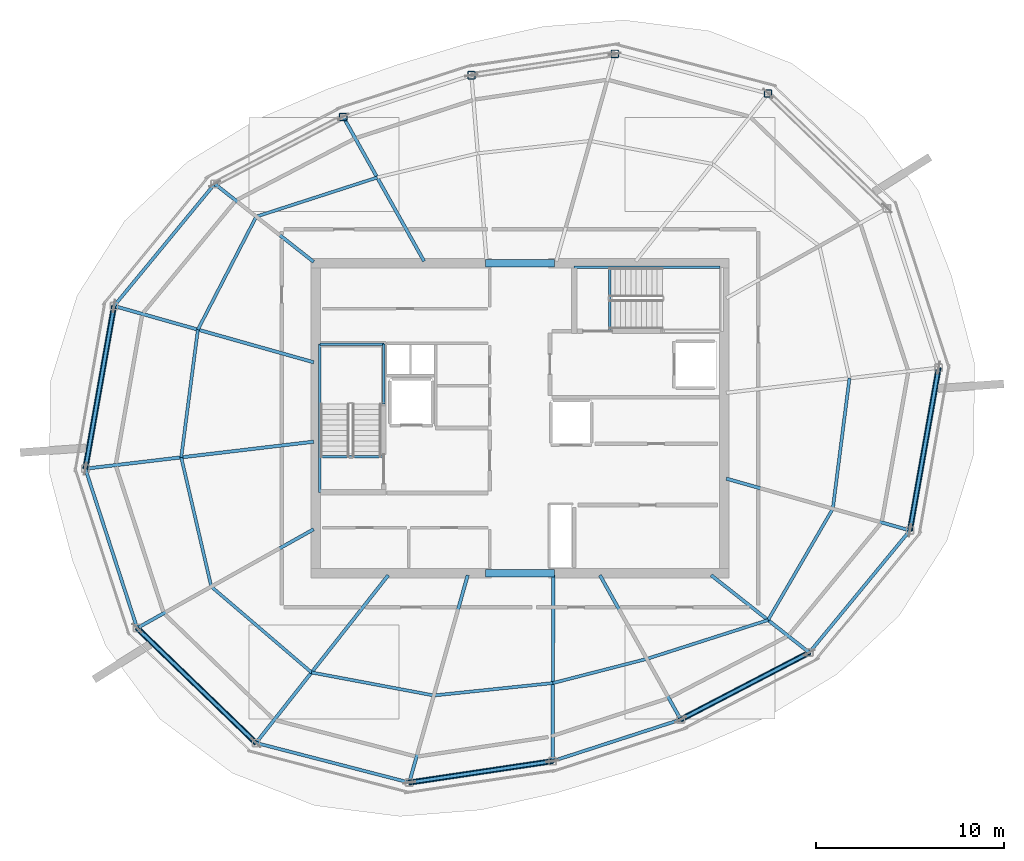
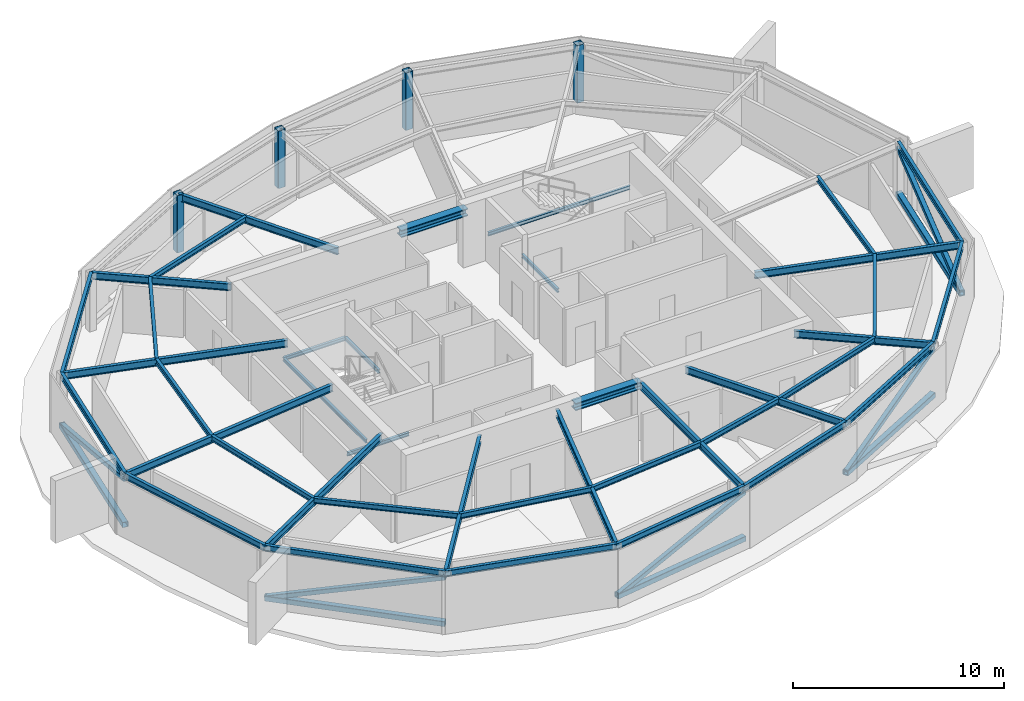
# One storey, part 4 of 10: 40 beams, 10 members, 4 columns.
"""IFC4 building model written with IfcOpenShell, lengths in metres."""

from ifc_helpers import new_model, si_unit, direction, frame, origin, origin_2d, place, context, subcontext, project, spatial, hollow_rectangle, i_section, extrude, material, material_profile, profile_set, type_object, element, save


model = new_model("IFC4")

# Units and contexts
model_context = context("Model", 3, precision=1e-05, world=origin(), true_north=direction((0.0, 1.0)))
body_context = subcontext(model_context, "Body", "Model", "MODEL_VIEW")
ifc_project = project(units=[si_unit("LENGTHUNIT", "METRE"), si_unit("AREAUNIT", "SQUARE_METRE"), si_unit("VOLUMEUNIT", "CUBIC_METRE"), si_unit("PLANEANGLEUNIT", "RADIAN"), si_unit("MASSUNIT", "GRAM", prefix="KILO")], contexts=[model_context])

# Site, building, storey
site_placement = place(None, origin())
site = spatial("IfcSite", under=ifc_project, at=site_placement, CompositionType="ELEMENT")
building_placement = place(site_placement, origin())
building = spatial("IfcBuilding", under=site, at=building_placement, Name="Kazma Halo Residences", CompositionType="ELEMENT")
storey_placement = place(building_placement, frame((0.0, 0.0, 356.0)))
storey = spatial("IfcBuildingStorey", under=building, at=storey_placement, Name="L89", CompositionType="ELEMENT", Elevation=356.0)

# Columns
ifc_material = material(Name="Steel S355", Category="steel")
ifc_material_profile_1 = material_profile(ifc_material, hollow_rectangle(XDim=0.39990234375, YDim=0.39990234375, WallThickness=0.02001953125, InnerFilletRadius=0.02001953125, OuterFilletRadius=0.0400390625, at=origin_2d()), Name="SHS400x400x20")
ifc_profile_set_1 = profile_set([ifc_material_profile_1], Name="Steel S355")
column_type = type_object("IfcColumnType", Name="COL-CROWN-SHS400", PredefinedType="COLUMN", material=ifc_profile_set_1)
for number, where, z_axis, x_axis, name in (
    (1, (61.617431640625, 59.273681640625, 0.0), (0.0, 0.0, 1.0), (1.0, 0.0, 0.0), "L89 CROWN FRAME perimeter column P02"),
    (2, (53.46630859375, 61.38232421875, 0.0), (0.0, 0.0, 1.0), (1.0, 0.0, 0.0), "L89 CROWN FRAME perimeter column P03"),
    (3, (45.8408203125, 60.24365234375, 0.0), (0.0, 0.0, 1.0), (1.0, 0.0, 0.0), "L89 CROWN FRAME perimeter column P04"),
    (4, (39.0234375, 58.02880859375, 0.0), (0.0, 0.0, 1.0), (1.0, 0.0, 0.0), "L89 CROWN FRAME perimeter column P05"),
):
    element("IfcColumn", number, at=place(storey_placement, frame(where, z_axis=z_axis, x_axis=x_axis)), inside=storey, type_object=column_type, Name=name, PredefinedType="COLUMN", context=body_context, shape_type="SweptSolid", body=[
        extrude(hollow_rectangle(XDim=0.39990234375, YDim=0.39990234375, WallThickness=0.02001953125, InnerFilletRadius=0.02001953125, OuterFilletRadius=0.0400390625, at=origin_2d()), origin(), (0.0, 0.0, 1.0), 3.320068359375),
    ])

# Beams
ifc_material_profile_2 = material_profile(ifc_material, i_section(OverallWidth=0.408935546875, OverallDepth=0.425048828125, WebThickness=0.03271484375, FlangeThickness=0.052490234375, FilletRadius=0.02001953125, at=origin_2d()), Name="W360x421")
ifc_profile_set_2 = profile_set([ifc_material_profile_2], Name="Steel S355")
beam_type_1 = type_object("IfcBeamType", Name="BM-CORE-W360H", PredefinedType="BEAM", material=ifc_profile_set_2)
for number, where, z_axis, x_axis, name in (
    (5, (46.60009765625, 33.75, 3.107421875), (1.0, 0.0, 0.0), (0.0, 1.0, 0.0), "L89 core coupling beam S"),
    (6, (46.60009765625, 50.25, 3.107421875), (1.0, 0.0, 0.0), (0.0, 1.0, 0.0), "L89 core coupling beam N"),
):
    element("IfcBeam", number, at=place(storey_placement, frame(where, z_axis=z_axis, x_axis=x_axis)), inside=storey, type_object=beam_type_1, Name=name, PredefinedType="BEAM", context=body_context, shape_type="SweptSolid", body=[
        extrude(i_section(OverallWidth=0.408935546875, OverallDepth=0.425048828125, WebThickness=0.03271484375, FlangeThickness=0.052490234375, FilletRadius=0.02001953125, at=origin_2d()), origin(), (0.0, 0.0, 1.0), 3.64990234375),
    ])
ifc_material_profile_3 = material_profile(ifc_material, i_section(OverallWidth=0.177978515625, OverallDepth=0.406982421875, WebThickness=0.0078125, FlangeThickness=0.0126953125, FilletRadius=0.013916015625, at=origin_2d()), Name="W410x60")
ifc_profile_set_3 = profile_set([ifc_material_profile_3], Name="Steel S355")
beam_type_2 = type_object("IfcBeamType", Name="BM-RAD-W410", PredefinedType="BEAM", material=ifc_profile_set_3)
beam_1_placement = place(storey_placement, frame((43.32373046875, 50.35009765625, 3.116455078125), z_axis=(-0.488621952621, 0.872495608824, 0.0), x_axis=(-0.872495608824, -0.488621952621, 0.0)))
element("IfcBeam", 7, at=beam_1_placement, inside=storey, type_object=beam_type_2, Name="L89 radial floor beam 05", PredefinedType="BEAM", context=body_context, shape_type="SweptSolid", body=[
    extrude(i_section(OverallWidth=0.177978515625, OverallDepth=0.406982421875, WebThickness=0.0078125, FlangeThickness=0.0126953125, FilletRadius=0.013916015625, at=origin_2d()), origin(), (0.0, 0.0, 1.0), 8.80078125),
])
beam_2_placement = place(storey_placement, frame((37.449951171875, 50.31689453125, 3.116455078125), z_axis=(-0.785321596803, 0.619088030569, 0.0), x_axis=(-0.619088030569, -0.785321596803, 0.0)))
element("IfcBeam", 8, at=beam_2_placement, inside=storey, type_object=beam_type_2, Name="L89 radial floor beam 06", PredefinedType="BEAM", context=body_context, shape_type="SweptSolid", body=[
    extrude(i_section(OverallWidth=0.177978515625, OverallDepth=0.406982421875, WebThickness=0.0078125, FlangeThickness=0.0126953125, FilletRadius=0.013916015625, at=origin_2d()), origin(), (0.0, 0.0, 1.0), 6.704345703125),
])
beam_3_placement = place(storey_placement, frame((37.449951171875, 44.975341796875, 3.116455078125), z_axis=(-0.962455160106, 0.271440720572, 0.0), x_axis=(-0.271440720572, -0.962455160106, 0.0)))
element("IfcBeam", 9, at=beam_3_placement, inside=storey, type_object=beam_type_2, Name="L89 radial floor beam 07", PredefinedType="BEAM", context=body_context, shape_type="SweptSolid", body=[
    extrude(i_section(OverallWidth=0.177978515625, OverallDepth=0.406982421875, WebThickness=0.0078125, FlangeThickness=0.0126953125, FilletRadius=0.013916015625, at=origin_2d()), origin(), (0.0, 0.0, 1.0), 11.0341796875),
])
beam_4_placement = place(storey_placement, frame((37.449951171875, 40.751220703125, 3.116455078125), z_axis=(-0.993069432883, -0.117529151591, 0.0), x_axis=(0.117529151591, -0.993069432883, 0.0)))
element("IfcBeam", 10, at=beam_4_placement, inside=storey, type_object=beam_type_2, Name="L89 radial floor beam 08", PredefinedType="BEAM", context=body_context, shape_type="SweptSolid", body=[
    extrude(i_section(OverallWidth=0.177978515625, OverallDepth=0.406982421875, WebThickness=0.0078125, FlangeThickness=0.0126953125, FilletRadius=0.013916015625, at=origin_2d()), origin(), (0.0, 0.0, 1.0), 12.23095703125),
])
beam_5_placement = place(storey_placement, frame((37.449951171875, 36.091796875, 3.116455078125), z_axis=(-0.872494798344, -0.488623399832, 0.0), x_axis=(0.488623399832, -0.872494798344, 0.0)))
element("IfcBeam", 11, at=beam_5_placement, inside=storey, type_object=beam_type_2, Name="L89 radial floor beam 09", PredefinedType="BEAM", context=body_context, shape_type="SweptSolid", body=[
    extrude(i_section(OverallWidth=0.177978515625, OverallDepth=0.406982421875, WebThickness=0.0078125, FlangeThickness=0.0126953125, FilletRadius=0.013916015625, at=origin_2d()), origin(), (0.0, 0.0, 1.0), 10.762939453125),
])
beam_6_placement = place(storey_placement, frame((41.41748046875, 33.64990234375, 3.116455078125), z_axis=(-0.619100773028, -0.785311551447, 0.0), x_axis=(0.785311551447, -0.619100773028, 0.0)))
element("IfcBeam", 12, at=beam_6_placement, inside=storey, type_object=beam_type_2, Name="L89 radial floor beam 10", PredefinedType="BEAM", context=body_context, shape_type="SweptSolid", body=[
    extrude(i_section(OverallWidth=0.177978515625, OverallDepth=0.406982421875, WebThickness=0.0078125, FlangeThickness=0.0126953125, FilletRadius=0.013916015625, at=origin_2d()), origin(), (0.0, 0.0, 1.0), 11.363037109375),
])
beam_7_placement = place(storey_placement, frame((45.64501953125, 33.64990234375, 3.116455078125), z_axis=(-0.271433859027, -0.962457095238, 0.0), x_axis=(0.962457095238, -0.271433859027, 0.0)))
element("IfcBeam", 13, at=beam_7_placement, inside=storey, type_object=beam_type_2, Name="L89 radial floor beam 11", PredefinedType="BEAM", context=body_context, shape_type="SweptSolid", body=[
    extrude(i_section(OverallWidth=0.177978515625, OverallDepth=0.406982421875, WebThickness=0.0078125, FlangeThickness=0.0126953125, FilletRadius=0.013916015625, at=origin_2d()), origin(), (0.0, 0.0, 1.0), 11.462646484375),
])
beam_8_placement = place(storey_placement, frame((50.199951171875, 33.64990234375, 3.116455078125), z_axis=(-0.004120979715, -0.999991508727, 0.0), x_axis=(0.999991508727, -0.004120979715, 0.0)))
element("IfcBeam", 14, at=beam_8_placement, inside=storey, type_object=beam_type_2, Name="L89 radial floor beam 12", PredefinedType="BEAM", context=body_context, shape_type="SweptSolid", body=[
    extrude(i_section(OverallWidth=0.177978515625, OverallDepth=0.406982421875, WebThickness=0.0078125, FlangeThickness=0.0126953125, FilletRadius=0.013916015625, at=origin_2d()), origin(), (0.0, 0.0, 1.0), 9.8935546875),
])
beam_9_placement = place(storey_placement, frame((52.67626953125, 33.64990234375, 3.116455078125), z_axis=(0.488621952621, -0.872495608824, 0.0), x_axis=(0.872495608824, 0.488621952621, 0.0)))
element("IfcBeam", 15, at=beam_9_placement, inside=storey, type_object=beam_type_2, Name="L89 radial floor beam 13", PredefinedType="BEAM", context=body_context, shape_type="SweptSolid", body=[
    extrude(i_section(OverallWidth=0.177978515625, OverallDepth=0.406982421875, WebThickness=0.0078125, FlangeThickness=0.0126953125, FilletRadius=0.013916015625, at=origin_2d()), origin(), (0.0, 0.0, 1.0), 8.80078125),
])
beam_10_placement = place(storey_placement, frame((58.591796875, 33.64990234375, 3.116455078125), z_axis=(0.785342950436, -0.619060942234, 0.0), x_axis=(0.619060942234, 0.785342950436, 0.0)))
element("IfcBeam", 16, at=beam_10_placement, inside=storey, type_object=beam_type_2, Name="L89 radial floor beam 14", PredefinedType="BEAM", context=body_context, shape_type="SweptSolid", body=[
    extrude(i_section(OverallWidth=0.177978515625, OverallDepth=0.406982421875, WebThickness=0.0078125, FlangeThickness=0.0126953125, FilletRadius=0.013916015625, at=origin_2d()), origin(), (0.0, 0.0, 1.0), 6.651123046875),
])
beam_11_placement = place(storey_placement, frame((59.39990234375, 38.784912109375, 3.116455078125), z_axis=(0.962456764872, -0.271435030445, 0.0), x_axis=(0.271435030445, 0.962456764872, 0.0)))
element("IfcBeam", 17, at=beam_11_placement, inside=storey, type_object=beam_type_2, Name="L89 radial floor beam 15", PredefinedType="BEAM", context=body_context, shape_type="SweptSolid", body=[
    extrude(i_section(OverallWidth=0.177978515625, OverallDepth=0.406982421875, WebThickness=0.0078125, FlangeThickness=0.0126953125, FilletRadius=0.013916015625, at=origin_2d()), origin(), (0.0, 0.0, 1.0), 10.151123046875),
])
ifc_material_profile_4 = material_profile(ifc_material, i_section(OverallWidth=0.1650390625, OverallDepth=0.31005859375, WebThickness=0.005859375, FlangeThickness=0.009765625, FilletRadius=0.011962890625, at=origin_2d()), Name="W310x38.7")
ifc_profile_set_4 = profile_set([ifc_material_profile_4], Name="Steel S355")
beam_type_3 = type_object("IfcBeamType", Name="BM-SEC-W310B", PredefinedType="JOIST", material=ifc_profile_set_4)
beam_12_placement = place(storey_placement, frame((40.82958984375, 54.8037109375, 3.1650390625), z_axis=(-0.951532506418, -0.307548190094, 0.0), x_axis=(0.307548190094, -0.951532506418, 0.0)))
element("IfcBeam", 18, at=beam_12_placement, inside=storey, type_object=beam_type_3, Name="L89 circumferential floor joist 05", PredefinedType="JOIST", context=body_context, shape_type="SweptSolid", body=[
    extrude(i_section(OverallWidth=0.1650390625, OverallDepth=0.31005859375, WebThickness=0.005859375, FlangeThickness=0.009765625, FilletRadius=0.011962890625, at=origin_2d()), origin(), (0.0, 0.0, 1.0), 6.760986328125),
])
beam_13_placement = place(storey_placement, frame((34.396240234375, 52.724365234375, 3.1650390625), z_axis=(-0.458980181698, -0.888446505316, 0.0), x_axis=(0.888446505316, -0.458980181698, 0.0)))
element("IfcBeam", 19, at=beam_13_placement, inside=storey, type_object=beam_type_3, Name="L89 circumferential floor joist 06", PredefinedType="JOIST", context=body_context, shape_type="SweptSolid", body=[
    extrude(i_section(OverallWidth=0.1650390625, OverallDepth=0.31005859375, WebThickness=0.005859375, FlangeThickness=0.009765625, FilletRadius=0.011962890625, at=origin_2d()), origin(), (0.0, 0.0, 1.0), 6.7666015625),
])
beam_14_placement = place(storey_placement, frame((31.29052734375, 46.712646484375, 3.1650390625), z_axis=(-0.129220381174, -0.991615899978, 0.0), x_axis=(0.991615899978, -0.129220381174, 0.0)))
element("IfcBeam", 20, at=beam_14_placement, inside=storey, type_object=beam_type_3, Name="L89 circumferential floor joist 07", PredefinedType="JOIST", context=body_context, shape_type="SweptSolid", body=[
    extrude(i_section(OverallWidth=0.1650390625, OverallDepth=0.31005859375, WebThickness=0.005859375, FlangeThickness=0.009765625, FilletRadius=0.011962890625, at=origin_2d()), origin(), (0.0, 0.0, 1.0), 6.8525390625),
])
beam_15_placement = place(storey_placement, frame((30.405029296875, 39.91748046875, 3.1650390625), z_axis=(0.22642269465, -0.97402913886, 0.0), x_axis=(0.97402913886, 0.22642269465, 0.0)))
element("IfcBeam", 21, at=beam_15_placement, inside=storey, type_object=beam_type_3, Name="L89 circumferential floor joist 08", PredefinedType="JOIST", context=body_context, shape_type="SweptSolid", body=[
    extrude(i_section(OverallWidth=0.1650390625, OverallDepth=0.31005859375, WebThickness=0.005859375, FlangeThickness=0.009765625, FilletRadius=0.011962890625, at=origin_2d()), origin(), (0.0, 0.0, 1.0), 7.059326171875),
])
beam_16_placement = place(storey_placement, frame((32.00341796875, 33.04150390625, 3.1650390625), z_axis=(0.759582919789, -0.650410476518, 0.0), x_axis=(0.650410476518, 0.759582919789, 0.0)))
element("IfcBeam", 22, at=beam_16_placement, inside=storey, type_object=beam_type_3, Name="L89 circumferential floor joist 09", PredefinedType="JOIST", context=body_context, shape_type="SweptSolid", body=[
    extrude(i_section(OverallWidth=0.1650390625, OverallDepth=0.31005859375, WebThickness=0.005859375, FlangeThickness=0.009765625, FilletRadius=0.011962890625, at=origin_2d()), origin(), (0.0, 0.0, 1.0), 7.02197265625),
])
beam_17_placement = place(storey_placement, frame((37.337158203125, 28.474365234375, 3.1650390625), z_axis=(0.982768028721, -0.184843181435, 0.0), x_axis=(0.184843181435, 0.982768028721, 0.0)))
element("IfcBeam", 23, at=beam_17_placement, inside=storey, type_object=beam_type_3, Name="L89 circumferential floor joist 10", PredefinedType="JOIST", context=body_context, shape_type="SweptSolid", body=[
    extrude(i_section(OverallWidth=0.1650390625, OverallDepth=0.31005859375, WebThickness=0.005859375, FlangeThickness=0.009765625, FilletRadius=0.011962890625, at=origin_2d()), origin(), (0.0, 0.0, 1.0), 6.6171875),
])
beam_18_placement = place(storey_placement, frame((43.84033203125, 27.251220703125, 3.1650390625), z_axis=(0.994612236518, 0.10366532192, 0.0), x_axis=(-0.10366532192, 0.994612236518, 0.0)))
element("IfcBeam", 24, at=beam_18_placement, inside=storey, type_object=beam_type_3, Name="L89 circumferential floor joist 11", PredefinedType="JOIST", context=body_context, shape_type="SweptSolid", body=[
    extrude(i_section(OverallWidth=0.1650390625, OverallDepth=0.31005859375, WebThickness=0.005859375, FlangeThickness=0.009765625, FilletRadius=0.011962890625, at=origin_2d()), origin(), (0.0, 0.0, 1.0), 6.37060546875),
])
beam_19_placement = place(storey_placement, frame((50.176513671875, 27.91162109375, 3.1650390625), z_axis=(0.96846845721, 0.249136202485, 0.0), x_axis=(-0.249136202485, 0.96846845721, 0.0)))
element("IfcBeam", 25, at=beam_19_placement, inside=storey, type_object=beam_type_3, Name="L89 circumferential floor joist 12", PredefinedType="JOIST", context=body_context, shape_type="SweptSolid", body=[
    extrude(i_section(OverallWidth=0.1650390625, OverallDepth=0.31005859375, WebThickness=0.005859375, FlangeThickness=0.009765625, FilletRadius=0.011962890625, at=origin_2d()), origin(), (0.0, 0.0, 1.0), 5.156494140625),
])
beam_20_placement = place(storey_placement, frame((55.17041015625, 29.1962890625, 3.1650390625), z_axis=(0.952375588957, 0.304927429988, 0.0), x_axis=(-0.304927429988, 0.952375588957, 0.0)))
element("IfcBeam", 26, at=beam_20_placement, inside=storey, type_object=beam_type_3, Name="L89 circumferential floor joist 13", PredefinedType="JOIST", context=body_context, shape_type="SweptSolid", body=[
    extrude(i_section(OverallWidth=0.1650390625, OverallDepth=0.31005859375, WebThickness=0.005859375, FlangeThickness=0.009765625, FilletRadius=0.011962890625, at=origin_2d()), origin(), (0.0, 0.0, 1.0), 6.7734375),
])
beam_21_placement = place(storey_placement, frame((61.621337890625, 31.26171875, 3.1650390625), z_axis=(0.502650174973, 0.864489908327, 0.0), x_axis=(-0.864489908327, 0.502650174973, 0.0)))
element("IfcBeam", 27, at=beam_21_placement, inside=storey, type_object=beam_type_3, Name="L89 circumferential floor joist 14", PredefinedType="JOIST", context=body_context, shape_type="SweptSolid", body=[
    extrude(i_section(OverallWidth=0.1650390625, OverallDepth=0.31005859375, WebThickness=0.005859375, FlangeThickness=0.009765625, FilletRadius=0.011962890625, at=origin_2d()), origin(), (0.0, 0.0, 1.0), 6.853759765625),
])
beam_22_placement = place(storey_placement, frame((65.06640625, 37.186767578125, 3.1650390625), z_axis=(0.126603386769, 0.991953417484, 0.0), x_axis=(-0.991953417484, 0.126603386769, 0.0)))
element("IfcBeam", 28, at=beam_22_placement, inside=storey, type_object=beam_type_3, Name="L89 circumferential floor joist 15", PredefinedType="JOIST", context=body_context, shape_type="SweptSolid", body=[
    extrude(i_section(OverallWidth=0.1650390625, OverallDepth=0.31005859375, WebThickness=0.005859375, FlangeThickness=0.009765625, FilletRadius=0.011962890625, at=origin_2d()), origin(), (0.0, 0.0, 1.0), 6.994384765625),
])
ifc_material_profile_5 = material_profile(ifc_material, i_section(OverallWidth=0.1708984375, OverallDepth=0.35498046875, WebThickness=0.007080078125, FlangeThickness=0.01171875, FilletRadius=0.013916015625, at=origin_2d()), Name="W360x51")
ifc_profile_set_5 = profile_set([ifc_material_profile_5], Name="Steel S355")
beam_type_4 = type_object("IfcBeamType", Name="BM-SPN-W360", PredefinedType="BEAM", material=ifc_profile_set_5)
beam_23_placement = place(storey_placement, frame((32.184814453125, 54.467529296875, 3.142578125), z_axis=(-0.636005014199, -0.77168492399, 0.0), x_axis=(0.77168492399, -0.636005014199, 0.0)))
element("IfcBeam", 29, at=beam_23_placement, inside=storey, type_object=beam_type_4, Name="L89 CROWN FRAME ring beam 06", PredefinedType="BEAM", context=body_context, shape_type="SweptSolid", body=[
    extrude(i_section(OverallWidth=0.1708984375, OverallDepth=0.35498046875, WebThickness=0.007080078125, FlangeThickness=0.01171875, FilletRadius=0.013916015625, at=origin_2d()), origin(), (0.0, 0.0, 1.0), 8.41943359375),
])
beam_24_placement = place(storey_placement, frame((26.830078125, 47.970458984375, 3.142578125), z_axis=(-0.173642734291, -0.984808712811, 0.0), x_axis=(0.984808712811, -0.173642734291, 0.0)))
element("IfcBeam", 30, at=beam_24_placement, inside=storey, type_object=beam_type_4, Name="L89 CROWN FRAME ring beam 07", PredefinedType="BEAM", context=body_context, shape_type="SweptSolid", body=[
    extrude(i_section(OverallWidth=0.1708984375, OverallDepth=0.35498046875, WebThickness=0.007080078125, FlangeThickness=0.01171875, FilletRadius=0.013916015625, at=origin_2d()), origin(), (0.0, 0.0, 1.0), 8.790283203125),
])
beam_25_placement = place(storey_placement, frame((25.3037109375, 39.313720703125, 3.142578125), z_axis=(0.309015498459, -0.951057002346, 0.0), x_axis=(0.951057002346, 0.309015498459, 0.0)))
element("IfcBeam", 31, at=beam_25_placement, inside=storey, type_object=beam_type_4, Name="L89 CROWN FRAME ring beam 08", PredefinedType="BEAM", context=body_context, shape_type="SweptSolid", body=[
    extrude(i_section(OverallWidth=0.1708984375, OverallDepth=0.35498046875, WebThickness=0.007080078125, FlangeThickness=0.01171875, FilletRadius=0.013916015625, at=origin_2d()), origin(), (0.0, 0.0, 1.0), 8.91748046875),
])
beam_26_placement = place(storey_placement, frame((28.059326171875, 30.832763671875, 3.142578125), z_axis=(0.719330630477, -0.694667866003, 0.0), x_axis=(0.694667866003, 0.719330630477, 0.0)))
element("IfcBeam", 32, at=beam_26_placement, inside=storey, type_object=beam_type_4, Name="L89 CROWN FRAME ring beam 09", PredefinedType="BEAM", context=body_context, shape_type="SweptSolid", body=[
    extrude(i_section(OverallWidth=0.1708984375, OverallDepth=0.35498046875, WebThickness=0.007080078125, FlangeThickness=0.01171875, FilletRadius=0.013916015625, at=origin_2d()), origin(), (0.0, 0.0, 1.0), 8.79052734375),
])
beam_27_placement = place(storey_placement, frame((34.382568359375, 24.726318359375, 3.142578125), z_axis=(0.968129821283, -0.250448895271, 0.0), x_axis=(0.250448895271, 0.968129821283, 0.0)))
element("IfcBeam", 33, at=beam_27_placement, inside=storey, type_object=beam_type_4, Name="L89 CROWN FRAME ring beam 10", PredefinedType="BEAM", context=body_context, shape_type="SweptSolid", body=[
    extrude(i_section(OverallWidth=0.1708984375, OverallDepth=0.35498046875, WebThickness=0.007080078125, FlangeThickness=0.01171875, FilletRadius=0.013916015625, at=origin_2d()), origin(), (0.0, 0.0, 1.0), 8.41943359375),
])
beam_28_placement = place(storey_placement, frame((42.53369140625, 22.61767578125, 3.142578125), z_axis=(0.989034152337, 0.147686984904, 0.0), x_axis=(-0.147686984904, 0.989034152337, 0.0)))
element("IfcBeam", 34, at=beam_28_placement, inside=storey, type_object=beam_type_4, Name="L89 CROWN FRAME ring beam 11", PredefinedType="BEAM", context=body_context, shape_type="SweptSolid", body=[
    extrude(i_section(OverallWidth=0.1708984375, OverallDepth=0.35498046875, WebThickness=0.007080078125, FlangeThickness=0.01171875, FilletRadius=0.013916015625, at=origin_2d()), origin(), (0.0, 0.0, 1.0), 7.7099609375),
])
beam_29_placement = place(storey_placement, frame((50.1591796875, 23.75634765625, 3.142578125), z_axis=(0.951067102, 0.308984413026, 0.0), x_axis=(-0.308984413026, 0.951067102, 0.0)))
element("IfcBeam", 35, at=beam_29_placement, inside=storey, type_object=beam_type_4, Name="L89 CROWN FRAME ring beam 12", PredefinedType="BEAM", context=body_context, shape_type="SweptSolid", body=[
    extrude(i_section(OverallWidth=0.1708984375, OverallDepth=0.35498046875, WebThickness=0.007080078125, FlangeThickness=0.01171875, FilletRadius=0.013916015625, at=origin_2d()), origin(), (0.0, 0.0, 1.0), 7.168212890625),
])
beam_30_placement = place(storey_placement, frame((56.9765625, 25.97119140625, 3.142578125), z_axis=(0.886940838721, 0.461883046461, 0.0), x_axis=(-0.461883046461, 0.886940838721, 0.0)))
element("IfcBeam", 36, at=beam_30_placement, inside=storey, type_object=beam_type_4, Name="L89 CROWN FRAME ring beam 13", PredefinedType="BEAM", context=body_context, shape_type="SweptSolid", body=[
    extrude(i_section(OverallWidth=0.1708984375, OverallDepth=0.35498046875, WebThickness=0.007080078125, FlangeThickness=0.01171875, FilletRadius=0.013916015625, at=origin_2d()), origin(), (0.0, 0.0, 1.0), 7.71044921875),
])
beam_31_placement = place(storey_placement, frame((63.815185546875, 29.532470703125, 3.142578125), z_axis=(0.636005014199, 0.77168492399, 0.0), x_axis=(-0.77168492399, 0.636005014199, 0.0)))
element("IfcBeam", 37, at=beam_31_placement, inside=storey, type_object=beam_type_4, Name="L89 CROWN FRAME ring beam 14", PredefinedType="BEAM", context=body_context, shape_type="SweptSolid", body=[
    extrude(i_section(OverallWidth=0.1708984375, OverallDepth=0.35498046875, WebThickness=0.007080078125, FlangeThickness=0.01171875, FilletRadius=0.013916015625, at=origin_2d()), origin(), (0.0, 0.0, 1.0), 8.41943359375),
])
beam_32_placement = place(storey_placement, frame((69.169921875, 36.029541015625, 3.142578125), z_axis=(0.173642734291, 0.984808712811, 0.0), x_axis=(-0.984808712811, 0.173642734291, 0.0)))
element("IfcBeam", 38, at=beam_32_placement, inside=storey, type_object=beam_type_4, Name="L89 CROWN FRAME ring beam 15", PredefinedType="BEAM", context=body_context, shape_type="SweptSolid", body=[
    extrude(i_section(OverallWidth=0.1708984375, OverallDepth=0.35498046875, WebThickness=0.007080078125, FlangeThickness=0.01171875, FilletRadius=0.013916015625, at=origin_2d()), origin(), (0.0, 0.0, 1.0), 8.790283203125),
])
ifc_material_profile_6 = material_profile(ifc_material, i_section(OverallWidth=0.133056640625, OverallDepth=0.20703125, WebThickness=0.005859375, FlangeThickness=0.00830078125, FilletRadius=0.010009765625, at=origin_2d()), Name="W200x26.6")
ifc_profile_set_6 = profile_set([ifc_material_profile_6], Name="Steel S355")
beam_type_5 = type_object("IfcBeamType", Name="BM-TRIM-W200", PredefinedType="BEAM", material=ifc_profile_set_6)
for number, where, z_axis, x_axis, name in (
    (39, (37.800048828125, 39.949951171875, -0.389892578125), (1.0, 0.0, 0.0), (0.0, 1.0, 0.0), "L89 ST-01 floor landing support beam"),
    (40, (53.199951171875, 46.6201171875, -0.389892578125), (0.0, 1.0, 0.0), (-1.0, 0.0, 0.0), "L89 ST-02 floor landing support beam"),
):
    element("IfcBeam", number, at=place(storey_placement, frame(where, z_axis=z_axis, x_axis=x_axis)), inside=storey, type_object=beam_type_5, Name=name, PredefinedType="BEAM", context=body_context, shape_type="SweptSolid", body=[
        extrude(i_section(OverallWidth=0.133056640625, OverallDepth=0.20703125, WebThickness=0.005859375, FlangeThickness=0.00830078125, FilletRadius=0.010009765625, at=origin_2d()), origin(), (0.0, 0.0, 1.0), 3.3798828125),
    ])
beam_33_placement = place(storey_placement, frame((37.780029296875, 38.06005859375, 1.4951171875), z_axis=(0.0, 1.0, 0.0), x_axis=(-1.0, 0.0, 0.0)))
element("IfcBeam", 41, at=beam_33_placement, inside=storey, type_object=beam_type_5, Name="L89 ST-01 landing west wall ledger", PredefinedType="BEAM", context=body_context, shape_type="SweptSolid", body=[
    extrude(i_section(OverallWidth=0.133056640625, OverallDepth=0.20703125, WebThickness=0.005859375, FlangeThickness=0.00830078125, FilletRadius=0.010009765625, at=origin_2d()), origin(), (0.0, 0.0, 1.0), 7.8798828125),
])
beam_34_placement = place(storey_placement, frame((41.179931640625, 42.75, 1.4951171875), z_axis=(0.0, 1.0, 0.0), x_axis=(-1.0, 0.0, 0.0)))
element("IfcBeam", 42, at=beam_34_placement, inside=storey, type_object=beam_type_5, Name="L89 ST-01 landing east wall ledger", PredefinedType="BEAM", context=body_context, shape_type="SweptSolid", body=[
    extrude(i_section(OverallWidth=0.133056640625, OverallDepth=0.20703125, WebThickness=0.005859375, FlangeThickness=0.00830078125, FilletRadius=0.010009765625, at=origin_2d()), origin(), (0.0, 0.0, 1.0), 3.18994140625),
])
beam_35_placement = place(storey_placement, frame((37.780029296875, 45.93994140625, 1.4951171875), z_axis=(1.0, 0.0, 0.0), x_axis=(0.0, 1.0, 0.0)))
element("IfcBeam", 43, at=beam_35_placement, inside=storey, type_object=beam_type_5, Name="L89 ST-01 landing end wall ledger", PredefinedType="BEAM", context=body_context, shape_type="SweptSolid", body=[
    extrude(i_section(OverallWidth=0.133056640625, OverallDepth=0.20703125, WebThickness=0.005859375, FlangeThickness=0.00830078125, FilletRadius=0.010009765625, at=origin_2d()), origin(), (0.0, 0.0, 1.0), 3.39990234375),
])
beam_36_placement = place(storey_placement, frame((51.31005859375, 50.02001953125, 1.4951171875), z_axis=(1.0, 0.0, 0.0), x_axis=(0.0, 1.0, 0.0)))
element("IfcBeam", 44, at=beam_36_placement, inside=storey, type_object=beam_type_5, Name="L89 ST-02 landing north wall ledger", PredefinedType="BEAM", context=body_context, shape_type="SweptSolid", body=[
    extrude(i_section(OverallWidth=0.133056640625, OverallDepth=0.20703125, WebThickness=0.005859375, FlangeThickness=0.00830078125, FilletRadius=0.010009765625, at=origin_2d()), origin(), (0.0, 0.0, 1.0), 7.760009765625),
])

# Members
ifc_material_profile_7 = material_profile(ifc_material, hollow_rectangle(XDim=0.25, YDim=0.25, WallThickness=0.010009765625, InnerFilletRadius=0.010009765625, OuterFilletRadius=0.02001953125, at=origin_2d()), Name="SHS250x250x10")
ifc_profile_set_7 = profile_set([ifc_material_profile_7], Name="Steel S355")
member_type_1 = type_object("IfcMemberType", Name="MBR-CRWN-SHS250", PredefinedType="BRACE", material=ifc_profile_set_7)
member_1_placement = place(storey_placement, frame((26.830078125, 47.970458984375, 0.280029296875), z_axis=(-0.166200300203, -0.942599207388, 0.289627682455), x_axis=(0.984808712811, -0.173642734291, 0.0)))
element("IfcMember", 45, at=member_1_placement, inside=storey, type_object=member_type_1, Name="L89 CROWN FRAME diagonal brace 07", PredefinedType="BRACE", context=body_context, shape_type="SweptSolid", body=[
    extrude(hollow_rectangle(XDim=0.25, YDim=0.25, WallThickness=0.010009765625, InnerFilletRadius=0.010009765625, OuterFilletRadius=0.02001953125, at=origin_2d()), origin(), (0.0, 0.0, 1.0), 9.183837890625),
])
member_2_placement = place(storey_placement, frame((28.059326171875, 30.832763671875, 0.280029296875), z_axis=(0.688500856282, -0.664895112638, 0.289622271397), x_axis=(0.694667866003, 0.719330630477, 0.0)))
element("IfcMember", 46, at=member_2_placement, inside=storey, type_object=member_type_1, Name="L89 CROWN FRAME diagonal brace 09", PredefinedType="BRACE", context=body_context, shape_type="SweptSolid", body=[
    extrude(hollow_rectangle(XDim=0.25, YDim=0.25, WallThickness=0.010009765625, InnerFilletRadius=0.010009765625, OuterFilletRadius=0.02001953125, at=origin_2d()), origin(), (0.0, 0.0, 1.0), 9.18408203125),
])
member_3_placement = place(storey_placement, frame((42.53369140625, 22.61767578125, 0.280029296875), z_axis=(0.934958348146, 0.139612144962, 0.326130857497), x_axis=(-0.147686984904, 0.989034152337, 0.0)))
element("IfcMember", 47, at=member_3_placement, inside=storey, type_object=member_type_1, Name="L89 CROWN FRAME diagonal brace 11", PredefinedType="BRACE", context=body_context, shape_type="SweptSolid", body=[
    extrude(hollow_rectangle(XDim=0.25, YDim=0.25, WallThickness=0.010009765625, InnerFilletRadius=0.010009765625, OuterFilletRadius=0.02001953125, at=origin_2d()), origin(), (0.0, 0.0, 1.0), 8.156005859375),
])
member_4_placement = place(storey_placement, frame((56.9765625, 25.97119140625, 0.280029296875), z_axis=(0.838450646682, 0.436631308527, 0.326119017372), x_axis=(-0.461883046461, 0.886940838721, 0.0)))
element("IfcMember", 48, at=member_4_placement, inside=storey, type_object=member_type_1, Name="L89 CROWN FRAME diagonal brace 13", PredefinedType="BRACE", context=body_context, shape_type="SweptSolid", body=[
    extrude(hollow_rectangle(XDim=0.25, YDim=0.25, WallThickness=0.010009765625, InnerFilletRadius=0.010009765625, OuterFilletRadius=0.02001953125, at=origin_2d()), origin(), (0.0, 0.0, 1.0), 8.15625),
])
member_5_placement = place(storey_placement, frame((69.169921875, 36.029541015625, 0.280029296875), z_axis=(0.166200300203, 0.942599207388, 0.289627682455), x_axis=(-0.984808712811, 0.173642734291, 0.0)))
element("IfcMember", 49, at=member_5_placement, inside=storey, type_object=member_type_1, Name="L89 CROWN FRAME diagonal brace 15", PredefinedType="BRACE", context=body_context, shape_type="SweptSolid", body=[
    extrude(hollow_rectangle(XDim=0.25, YDim=0.25, WallThickness=0.010009765625, InnerFilletRadius=0.010009765625, OuterFilletRadius=0.02001953125, at=origin_2d()), origin(), (0.0, 0.0, 1.0), 9.183837890625),
])
ifc_material_profile_8 = material_profile(ifc_material, hollow_rectangle(XDim=0.300048828125, YDim=0.300048828125, WallThickness=0.012451171875, InnerFilletRadius=0.012451171875, OuterFilletRadius=0.02490234375, at=origin_2d()), Name="SHS300x300x12.5")
ifc_profile_set_8 = profile_set([ifc_material_profile_8], Name="Steel S355")
member_type_2 = type_object("IfcMemberType", Name="MBR-CRWN-SHS300", PredefinedType="CHORD", material=ifc_profile_set_8)
member_6_placement = place(storey_placement, frame((26.830078125, 47.970458984375, 0.280029296875), z_axis=(-0.173642734291, -0.984808712811, 0.0), x_axis=(0.984808712811, -0.173642734291, 0.0)))
element("IfcMember", 50, at=member_6_placement, inside=storey, type_object=member_type_2, Name="L89 CROWN FRAME horizontal ring chord 07", PredefinedType="CHORD", context=body_context, shape_type="SweptSolid", body=[
    extrude(hollow_rectangle(XDim=0.300048828125, YDim=0.300048828125, WallThickness=0.012451171875, InnerFilletRadius=0.012451171875, OuterFilletRadius=0.02490234375, at=origin_2d()), origin(), (0.0, 0.0, 1.0), 8.790283203125),
])
member_7_placement = place(storey_placement, frame((28.059326171875, 30.832763671875, 0.280029296875), z_axis=(0.719330630477, -0.694667866003, 0.0), x_axis=(0.694667866003, 0.719330630477, 0.0)))
element("IfcMember", 51, at=member_7_placement, inside=storey, type_object=member_type_2, Name="L89 CROWN FRAME horizontal ring chord 09", PredefinedType="CHORD", context=body_context, shape_type="SweptSolid", body=[
    extrude(hollow_rectangle(XDim=0.300048828125, YDim=0.300048828125, WallThickness=0.012451171875, InnerFilletRadius=0.012451171875, OuterFilletRadius=0.02490234375, at=origin_2d()), origin(), (0.0, 0.0, 1.0), 8.79052734375),
])
member_8_placement = place(storey_placement, frame((42.53369140625, 22.61767578125, 0.280029296875), z_axis=(0.989034152337, 0.147686984904, 0.0), x_axis=(-0.147686984904, 0.989034152337, 0.0)))
element("IfcMember", 52, at=member_8_placement, inside=storey, type_object=member_type_2, Name="L89 CROWN FRAME horizontal ring chord 11", PredefinedType="CHORD", context=body_context, shape_type="SweptSolid", body=[
    extrude(hollow_rectangle(XDim=0.300048828125, YDim=0.300048828125, WallThickness=0.012451171875, InnerFilletRadius=0.012451171875, OuterFilletRadius=0.02490234375, at=origin_2d()), origin(), (0.0, 0.0, 1.0), 7.7099609375),
])
member_9_placement = place(storey_placement, frame((56.9765625, 25.97119140625, 0.280029296875), z_axis=(0.886940838721, 0.461883046461, 0.0), x_axis=(-0.461883046461, 0.886940838721, 0.0)))
element("IfcMember", 53, at=member_9_placement, inside=storey, type_object=member_type_2, Name="L89 CROWN FRAME horizontal ring chord 13", PredefinedType="CHORD", context=body_context, shape_type="SweptSolid", body=[
    extrude(hollow_rectangle(XDim=0.300048828125, YDim=0.300048828125, WallThickness=0.012451171875, InnerFilletRadius=0.012451171875, OuterFilletRadius=0.02490234375, at=origin_2d()), origin(), (0.0, 0.0, 1.0), 7.71044921875),
])
member_10_placement = place(storey_placement, frame((69.169921875, 36.029541015625, 0.280029296875), z_axis=(0.173642734291, 0.984808712811, 0.0), x_axis=(-0.984808712811, 0.173642734291, 0.0)))
element("IfcMember", 54, at=member_10_placement, inside=storey, type_object=member_type_2, Name="L89 CROWN FRAME horizontal ring chord 15", PredefinedType="CHORD", context=body_context, shape_type="SweptSolid", body=[
    extrude(hollow_rectangle(XDim=0.300048828125, YDim=0.300048828125, WallThickness=0.012451171875, InnerFilletRadius=0.012451171875, OuterFilletRadius=0.02490234375, at=origin_2d()), origin(), (0.0, 0.0, 1.0), 8.790283203125),
])

save(model, "model.ifc")
